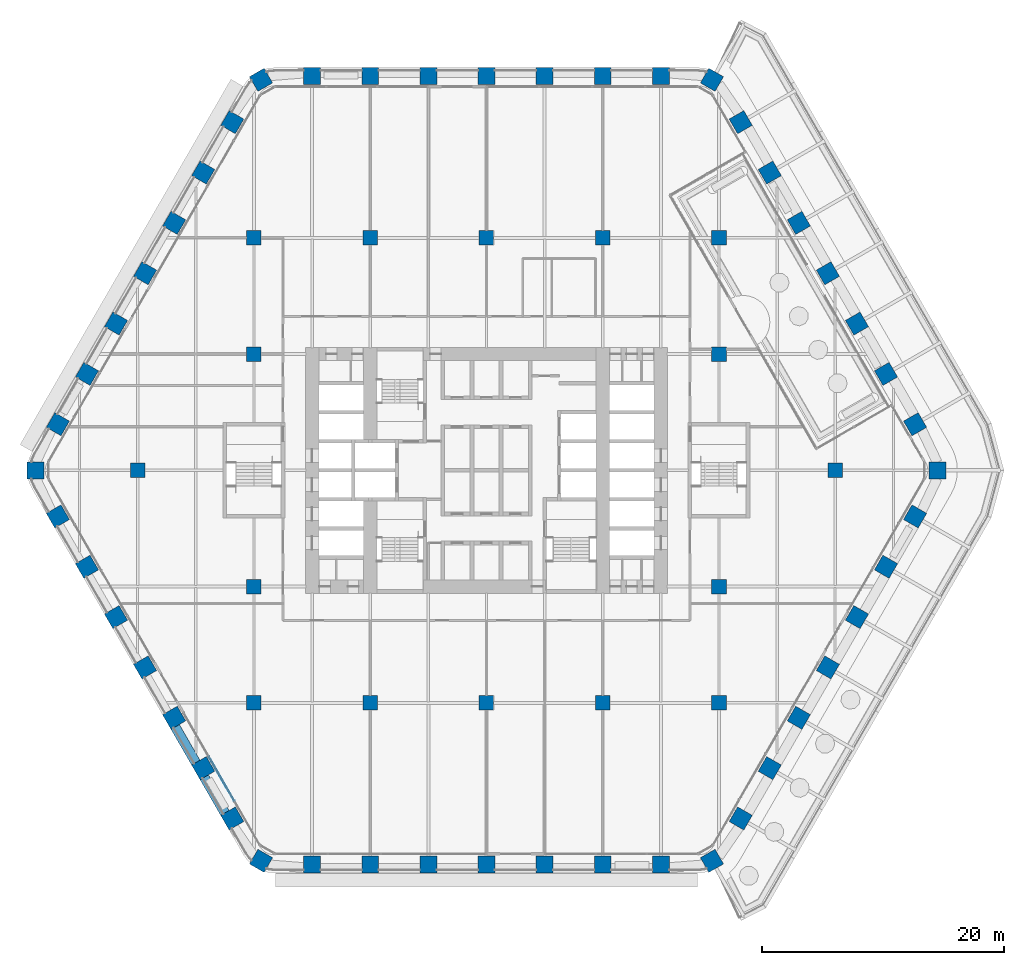
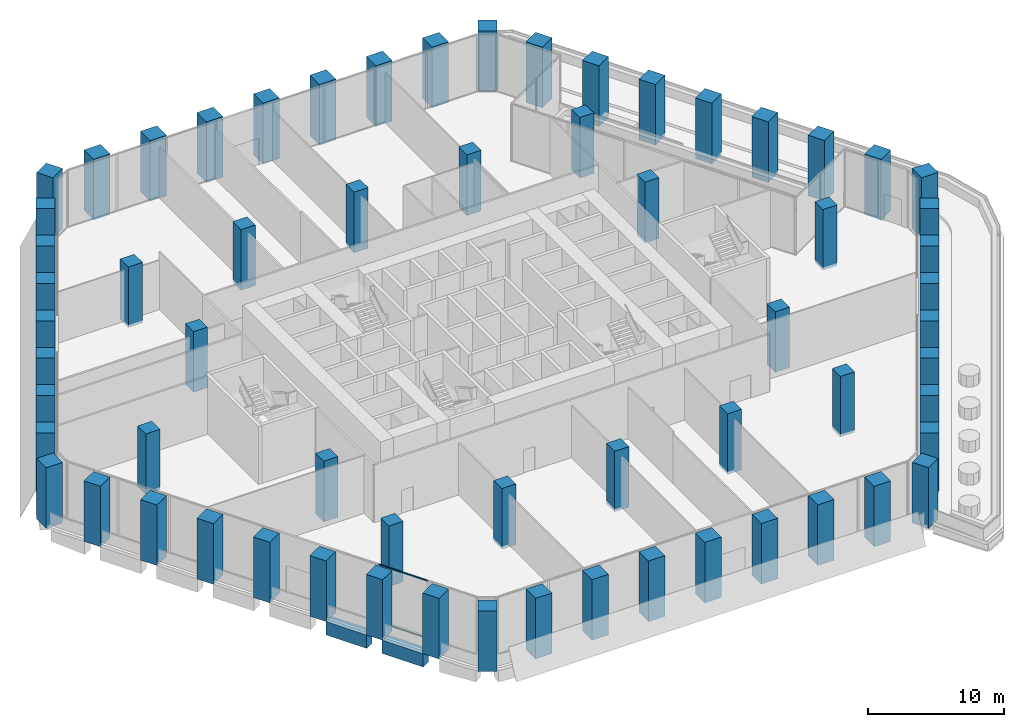
# One storey, part 1 of 32: 64 columns, 2 beams, 2 members, 1 element without a shape of its own.
"""IFC4 building model written with IfcOpenShell, lengths in metres."""

from ifc_helpers import new_model, si_unit, direction, frame, origin, origin_2d, place, context, subcontext, project, spatial, rectangle, extrude, material, material_profile, profile_set, type_object, element, aggregate, save


model = new_model("IFC4")

# Units and contexts
model_context = context("Model", 3, precision=1e-05, world=origin(), true_north=direction((0.0, 1.0)))
body_context = subcontext(model_context, "Body", "Model", "MODEL_VIEW")
ifc_project = project(units=[si_unit("LENGTHUNIT", "METRE"), si_unit("AREAUNIT", "SQUARE_METRE"), si_unit("VOLUMEUNIT", "CUBIC_METRE"), si_unit("PLANEANGLEUNIT", "RADIAN"), si_unit("MASSUNIT", "GRAM", prefix="KILO")], contexts=[model_context])

# Site, building, storey
site_placement = place(None, origin())
site = spatial("IfcSite", under=ifc_project, at=site_placement, CompositionType="ELEMENT")
building_placement = place(site_placement, origin())
building = spatial("IfcBuilding", under=site, at=building_placement, Name="Kolab Exchange Tower", CompositionType="ELEMENT")
storey_placement = place(building_placement, frame((0.0, 0.0, 60.89990234375)))
storey = spatial("IfcBuildingStorey", under=building, at=storey_placement, Name="L11", CompositionType="ELEMENT", Elevation=60.89990234375)

# Columns
ifc_material_1 = material(Name="Concrete C80/95", Category="concrete")
ifc_material_profile_1 = material_profile(ifc_material_1, rectangle(XDim=1.199951171875, YDim=1.199951171875, at=origin_2d()), Name="RC1200")
ifc_profile_set_1 = profile_set([ifc_material_profile_1], Name="Concrete C80/95")
column_type_1 = type_object("IfcColumnType", Name="INTERIOR COLUMN 1200 SQ C80/95", PredefinedType="COLUMN", material=ifc_profile_set_1)
for number, where, z_axis, x_axis, name in (
    (1, (-28.800048828125, 0.0, -0.25), (0.0, 0.0, 1.0), (1.0, 0.0, 0.0), "col/L11/I-G11"),
    (2, (-19.199951171875, -19.199951171875, -0.25), (0.0, 0.0, 1.0), (1.0, 0.0, 0.0), "col/L11/I-I7"),
    (3, (-19.199951171875, -9.60009765625, -0.25), (0.0, 0.0, 1.0), (1.0, 0.0, 0.0), "col/L11/I-I9"),
    (4, (-19.199951171875, 9.60009765625, -0.25), (0.0, 0.0, 1.0), (1.0, 0.0, 0.0), "col/L11/I-I13"),
    (5, (-19.199951171875, 19.199951171875, -0.25), (0.0, 0.0, 1.0), (1.0, 0.0, 0.0), "col/L11/I-I15"),
    (6, (-9.60009765625, -19.199951171875, -0.25), (0.0, 0.0, 1.0), (1.0, 0.0, 0.0), "col/L11/I-K7"),
    (7, (-9.60009765625, 19.199951171875, -0.25), (0.0, 0.0, 1.0), (1.0, 0.0, 0.0), "col/L11/I-K15"),
    (8, (0.0, -19.199951171875, -0.25), (0.0, 0.0, 1.0), (1.0, 0.0, 0.0), "col/L11/I-M7"),
    (9, (0.0, 19.199951171875, -0.25), (0.0, 0.0, 1.0), (1.0, 0.0, 0.0), "col/L11/I-M15"),
    (10, (9.60009765625, -19.199951171875, -0.25), (0.0, 0.0, 1.0), (1.0, 0.0, 0.0), "col/L11/I-O7"),
    (11, (9.60009765625, 19.199951171875, -0.25), (0.0, 0.0, 1.0), (1.0, 0.0, 0.0), "col/L11/I-O15"),
    (12, (19.199951171875, -19.199951171875, -0.25), (0.0, 0.0, 1.0), (1.0, 0.0, 0.0), "col/L11/I-Q7"),
    (13, (19.199951171875, -9.60009765625, -0.25), (0.0, 0.0, 1.0), (1.0, 0.0, 0.0), "col/L11/I-Q9"),
    (14, (19.199951171875, 9.60009765625, -0.25), (0.0, 0.0, 1.0), (1.0, 0.0, 0.0), "col/L11/I-Q13"),
    (15, (19.199951171875, 19.199951171875, -0.25), (0.0, 0.0, 1.0), (1.0, 0.0, 0.0), "col/L11/I-Q15"),
    (16, (28.800048828125, 0.0, -0.25), (0.0, 0.0, 1.0), (1.0, 0.0, 0.0), "col/L11/I-S11"),
):
    element("IfcColumn", number, at=place(storey_placement, frame(where, z_axis=z_axis, x_axis=x_axis)), inside=storey, type_object=column_type_1, Name=name, PredefinedType="COLUMN", context=body_context, shape_type="SweptSolid", body=[
        extrude(rectangle(XDim=1.199951171875, YDim=1.199951171875, at=origin_2d()), origin(), (0.0, 0.0, 1.0), 5.4501953125),
    ])
ifc_material_profile_2 = material_profile(ifc_material_1, rectangle(XDim=1.39990234375, YDim=1.39990234375, at=origin_2d()), Name="RC1400")
ifc_profile_set_2 = profile_set([ifc_material_profile_2], Name="Concrete C80/95")
column_type_2 = type_object("IfcColumnType", Name="PERIMETER COLUMN 1400 SQ C80/95", PredefinedType="COLUMN", material=ifc_profile_set_2)
for number, where, z_axis, x_axis, name in (
    (17, (-18.617919921875, 32.247314453125, -0.25), (0.0, 0.0, 1.0), (0.866025403784, 0.5, 0.0), "col/L11/F1-01"),
    (18, (-14.39990234375, 32.555419921875, -0.25), (0.0, 0.0, 1.0), (1.0, 0.0, 0.0), "col/L11/F1-02"),
    (19, (-9.60009765625, 32.555419921875, -0.25), (0.0, 0.0, 1.0), (1.0, 0.0, 0.0), "col/L11/F1-03"),
    (20, (-4.800048828125, 32.555419921875, -0.25), (0.0, 0.0, 1.0), (1.0, 0.0, 0.0), "col/L11/F1-04"),
    (21, (0.0, 32.555419921875, -0.25), (0.0, 0.0, 1.0), (1.0, 0.0, 0.0), "col/L11/F1-05"),
    (22, (4.800048828125, 32.555419921875, -0.25), (0.0, 0.0, 1.0), (1.0, 0.0, 0.0), "col/L11/F1-06"),
    (23, (9.60009765625, 32.555419921875, -0.25), (0.0, 0.0, 1.0), (1.0, 0.0, 0.0), "col/L11/F1-07"),
    (24, (14.39990234375, 32.555419921875, -0.25), (0.0, 0.0, 1.0), (1.0, 0.0, 0.0), "col/L11/F1-08"),
    (25, (18.617919921875, 32.247314453125, -0.25), (0.0, 0.0, 1.0), (0.5, 0.866025403784, 0.0), "col/L11/F2-01"),
    (26, (20.993896484375, 28.74853515625, -0.25), (0.0, 0.0, 1.0), (0.866025403784, 0.5, 0.0), "col/L11/F2-02"),
    (27, (23.393798828125, 24.591552734375, -0.25), (0.0, 0.0, 1.0), (0.866025403784, 0.5, 0.0), "col/L11/F2-03"),
    (28, (25.793701171875, 20.4345703125, -0.25), (0.0, 0.0, 1.0), (0.866025403784, 0.5, 0.0), "col/L11/F2-04"),
    (29, (28.19384765625, 16.277587890625, -0.25), (0.0, 0.0, 1.0), (0.866025403784, 0.5, 0.0), "col/L11/F2-05"),
    (30, (30.59375, 12.120849609375, -0.25), (0.0, 0.0, 1.0), (0.866025403784, 0.5, 0.0), "col/L11/F2-06"),
    (31, (32.993896484375, 7.9638671875, -0.25), (0.0, 0.0, 1.0), (0.866025403784, 0.5, 0.0), "col/L11/F2-07"),
    (32, (35.393798828125, 3.806884765625, -0.25), (0.0, 0.0, 1.0), (0.866025403784, 0.5, 0.0), "col/L11/F2-08"),
    (33, (37.23583984375, 0.0, -0.25), (0.0, 0.0, 1.0), (1.0, 0.0, 0.0), "col/L11/F3-01"),
    (34, (35.393798828125, -3.806884765625, -0.25), (0.0, 0.0, 1.0), (0.5, 0.866025403784, 0.0), "col/L11/F3-02"),
    (35, (32.993896484375, -7.9638671875, -0.25), (0.0, 0.0, 1.0), (0.5, 0.866025403784, 0.0), "col/L11/F3-03"),
    (36, (30.59375, -12.120849609375, -0.25), (0.0, 0.0, 1.0), (0.5, 0.866025403784, 0.0), "col/L11/F3-04"),
    (37, (28.19384765625, -16.277587890625, -0.25), (0.0, 0.0, 1.0), (0.5, 0.866025403784, 0.0), "col/L11/F3-05"),
    (38, (25.793701171875, -20.4345703125, -0.25), (0.0, 0.0, 1.0), (0.5, 0.866025403784, 0.0), "col/L11/F3-06"),
    (39, (23.393798828125, -24.591552734375, -0.25), (0.0, 0.0, 1.0), (0.5, 0.866025403784, 0.0), "col/L11/F3-07"),
    (40, (20.993896484375, -28.74853515625, -0.25), (0.0, 0.0, 1.0), (0.5, 0.866025403784, 0.0), "col/L11/F3-08"),
    (41, (18.617919921875, -32.247314453125, -0.25), (0.0, 0.0, 1.0), (0.866025403784, 0.5, 0.0), "col/L11/F4-01"),
    (42, (14.39990234375, -32.555419921875, -0.25), (0.0, 0.0, 1.0), (1.0, 0.0, 0.0), "col/L11/F4-02"),
    (43, (9.60009765625, -32.555419921875, -0.25), (0.0, 0.0, 1.0), (1.0, 0.0, 0.0), "col/L11/F4-03"),
    (44, (4.800048828125, -32.555419921875, -0.25), (0.0, 0.0, 1.0), (1.0, 0.0, 0.0), "col/L11/F4-04"),
    (45, (0.0, -32.555419921875, -0.25), (0.0, 0.0, 1.0), (1.0, 0.0, 0.0), "col/L11/F4-05"),
    (46, (-4.800048828125, -32.555419921875, -0.25), (0.0, 0.0, 1.0), (1.0, 0.0, 0.0), "col/L11/F4-06"),
    (47, (-9.60009765625, -32.555419921875, -0.25), (0.0, 0.0, 1.0), (1.0, 0.0, 0.0), "col/L11/F4-07"),
    (48, (-14.39990234375, -32.555419921875, -0.25), (0.0, 0.0, 1.0), (1.0, 0.0, 0.0), "col/L11/F4-08"),
    (49, (-18.617919921875, -32.247314453125, -0.25), (0.0, 0.0, 1.0), (0.5, 0.866025403784, 0.0), "col/L11/F5-01"),
    (50, (-20.993896484375, -28.74853515625, -0.25), (0.0, 0.0, 1.0), (0.866025403784, 0.5, 0.0), "col/L11/F5-02"),
    (51, (-23.393798828125, -24.591552734375, -0.25), (0.0, 0.0, 1.0), (0.866025403784, 0.5, 0.0), "col/L11/F5-03"),
    (52, (-25.793701171875, -20.4345703125, -0.25), (0.0, 0.0, 1.0), (0.866025403784, 0.5, 0.0), "col/L11/F5-04"),
    (53, (-28.19384765625, -16.277587890625, -0.25), (0.0, 0.0, 1.0), (0.866025403784, 0.5, 0.0), "col/L11/F5-05"),
    (54, (-30.59375, -12.120849609375, -0.25), (0.0, 0.0, 1.0), (0.866025403784, 0.5, 0.0), "col/L11/F5-06"),
    (55, (-32.993896484375, -7.9638671875, -0.25), (0.0, 0.0, 1.0), (0.866025403784, 0.5, 0.0), "col/L11/F5-07"),
    (56, (-35.393798828125, -3.806884765625, -0.25), (0.0, 0.0, 1.0), (0.866025403784, 0.5, 0.0), "col/L11/F5-08"),
    (57, (-37.23583984375, 0.0, -0.25), (0.0, 0.0, 1.0), (1.0, 0.0, 0.0), "col/L11/F6-01"),
    (58, (-35.393798828125, 3.806884765625, -0.25), (0.0, 0.0, 1.0), (0.5, 0.866025403784, 0.0), "col/L11/F6-02"),
    (59, (-32.993896484375, 7.9638671875, -0.25), (0.0, 0.0, 1.0), (0.5, 0.866025403784, 0.0), "col/L11/F6-03"),
    (60, (-30.59375, 12.120849609375, -0.25), (0.0, 0.0, 1.0), (0.5, 0.866025403784, 0.0), "col/L11/F6-04"),
    (61, (-28.19384765625, 16.277587890625, -0.25), (0.0, 0.0, 1.0), (0.5, 0.866025403784, 0.0), "col/L11/F6-05"),
    (62, (-25.793701171875, 20.4345703125, -0.25), (0.0, 0.0, 1.0), (0.5, 0.866025403784, 0.0), "col/L11/F6-06"),
    (63, (-23.393798828125, 24.591552734375, -0.25), (0.0, 0.0, 1.0), (0.5, 0.866025403784, 0.0), "col/L11/F6-07"),
    (64, (-20.993896484375, 28.74853515625, -0.25), (0.0, 0.0, 1.0), (0.5, 0.866025403784, 0.0), "col/L11/F6-08"),
):
    element("IfcColumn", number, at=place(storey_placement, frame(where, z_axis=z_axis, x_axis=x_axis)), inside=storey, type_object=column_type_2, Name=name, PredefinedType="COLUMN", context=body_context, shape_type="SweptSolid", body=[
        extrude(rectangle(XDim=1.39990234375, YDim=1.39990234375, at=origin_2d()), origin(), (0.0, 0.0, 1.0), 5.4501953125),
    ])

# Beams
ifc_material_profile_3 = material_profile(ifc_material_1, rectangle(XDim=0.800048828125, YDim=1.199951171875, at=origin_2d()), Name="RC800X1200")
ifc_profile_set_3 = profile_set([ifc_material_profile_3], Name="Concrete C80/95")
beam_type = type_object("IfcBeamType", Name="SPANDREL BEAM 800X1200 C80/95", PredefinedType="BEAM", material=ifc_profile_set_3)
beam_1_placement = place(storey_placement, frame((-21.58349609375, -28.326904296875, -0.849853515625), z_axis=(-0.499979528911, 0.866037222451, 0.0), x_axis=(-0.866037222451, -0.499979528911, 0.0)))
element("IfcBeam", 65, at=beam_1_placement, inside=storey, type_object=beam_type, Name="beam/L11/sp/F5-02", PredefinedType="BEAM", context=body_context, shape_type="SweptSolid", body=[
    extrude(rectangle(XDim=0.800048828125, YDim=1.199951171875, at=origin_2d()), origin(), (0.0, 0.0, 1.0), 3.480224609375),
])
beam_2_placement = place(storey_placement, frame((-23.983642578125, -24.169921875, -0.849853515625), z_axis=(-0.500009906705, 0.86601968407, 0.0), x_axis=(-0.86601968407, -0.500009906705, 0.0)))
element("IfcBeam", 66, at=beam_2_placement, inside=storey, type_object=beam_type, Name="beam/L11/sp/F5-03", PredefinedType="BEAM", context=body_context, shape_type="SweptSolid", body=[
    extrude(rectangle(XDim=0.800048828125, YDim=1.199951171875, at=origin_2d()), origin(), (0.0, 0.0, 1.0), 3.47998046875),
])

# Curtain wall, members
ifc_material_2 = material(Name="Aluminium EN AW-6063 T6", Category="aluminium")
curtain_wall_type = type_object("IfcCurtainWallType", Name="UNITISED LOW ZONE CURTAIN WALL", PredefinedType="NOTDEFINED", material=ifc_material_2)
curtain_wall_placement = place(storey_placement, origin())
curtain_wall = element("IfcCurtainWall", 67, at=curtain_wall_placement, inside=storey, type_object=curtain_wall_type, Name="cw/L11/F5-1", PredefinedType="NOTDEFINED")
ifc_material_profile_4 = material_profile(ifc_material_2, rectangle(XDim=0.06005859375, YDim=0.10009765625, at=origin_2d()), Name="RECT 60X100")
ifc_profile_set_4 = profile_set([ifc_material_profile_4], Name="Aluminium EN AW-6063 T6")
member_type = type_object("IfcMemberType", Name="UNITISED LOW ZONE TRANSOM 60 X 100", PredefinedType="USERDEFINED", material=ifc_profile_set_4)
member_1_placement = place(storey_placement, frame((-20.823974609375, -27.282470703125, 0.030029296875), z_axis=(-0.49999322259, 0.866029316688, 0.0), x_axis=(-0.866029316688, -0.49999322259, 0.0)))
member_1 = element("IfcMember", 68, at=member_1_placement, type_object=member_type, Name="CW1 transom 2.1", ObjectType="TRANSOM", PredefinedType="USERDEFINED", context=body_context, shape_type="SweptSolid", body=[
    extrude(rectangle(XDim=0.06005859375, YDim=0.10009765625, at=origin_2d()), origin(), (0.0, 0.0, 1.0), 4.16259765625),
])
member_2_placement = place(storey_placement, frame((-20.823974609375, -27.282470703125, 5.170166015625), z_axis=(-0.49999322259, 0.866029316688, 0.0), x_axis=(-0.866029316688, -0.49999322259, 0.0)))
member_2 = element("IfcMember", 69, at=member_2_placement, type_object=member_type, Name="CW1 transom 2.2", ObjectType="TRANSOM", PredefinedType="USERDEFINED", context=body_context, shape_type="SweptSolid", body=[
    extrude(rectangle(XDim=0.06005859375, YDim=0.10009765625, at=origin_2d()), origin(), (0.0, 0.0, 1.0), 4.16259765625),
])
aggregate(curtain_wall, [member_1, member_2])

save(model, "model.ifc")
